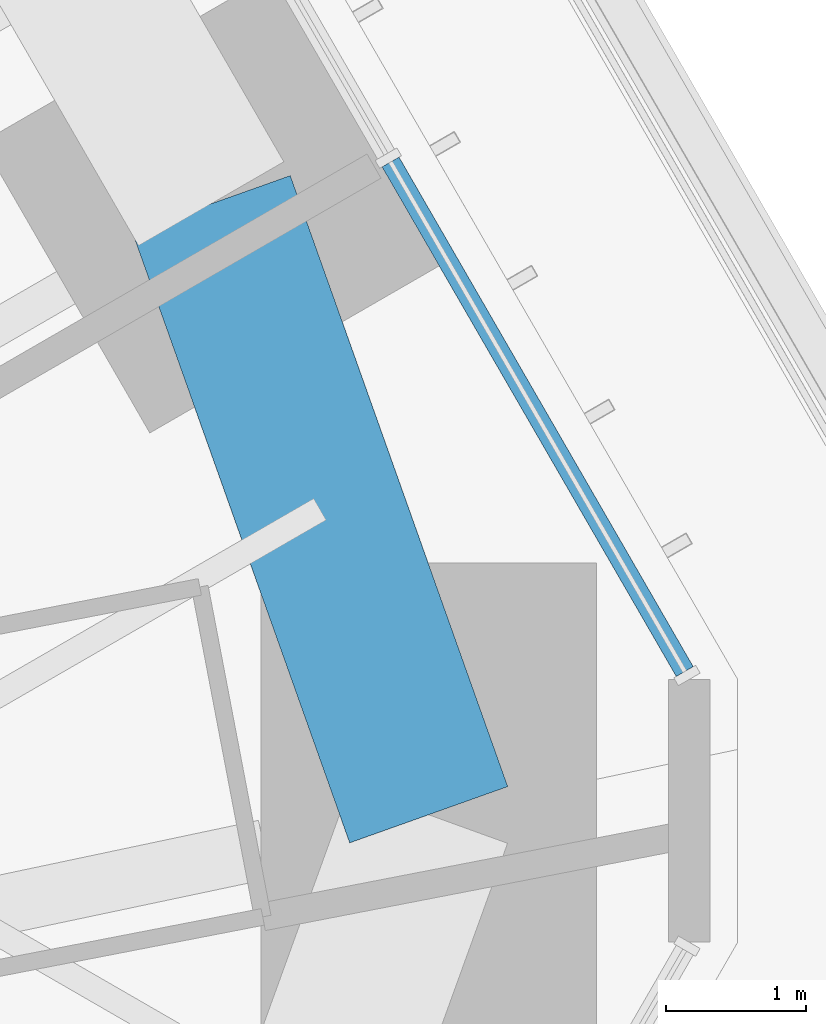
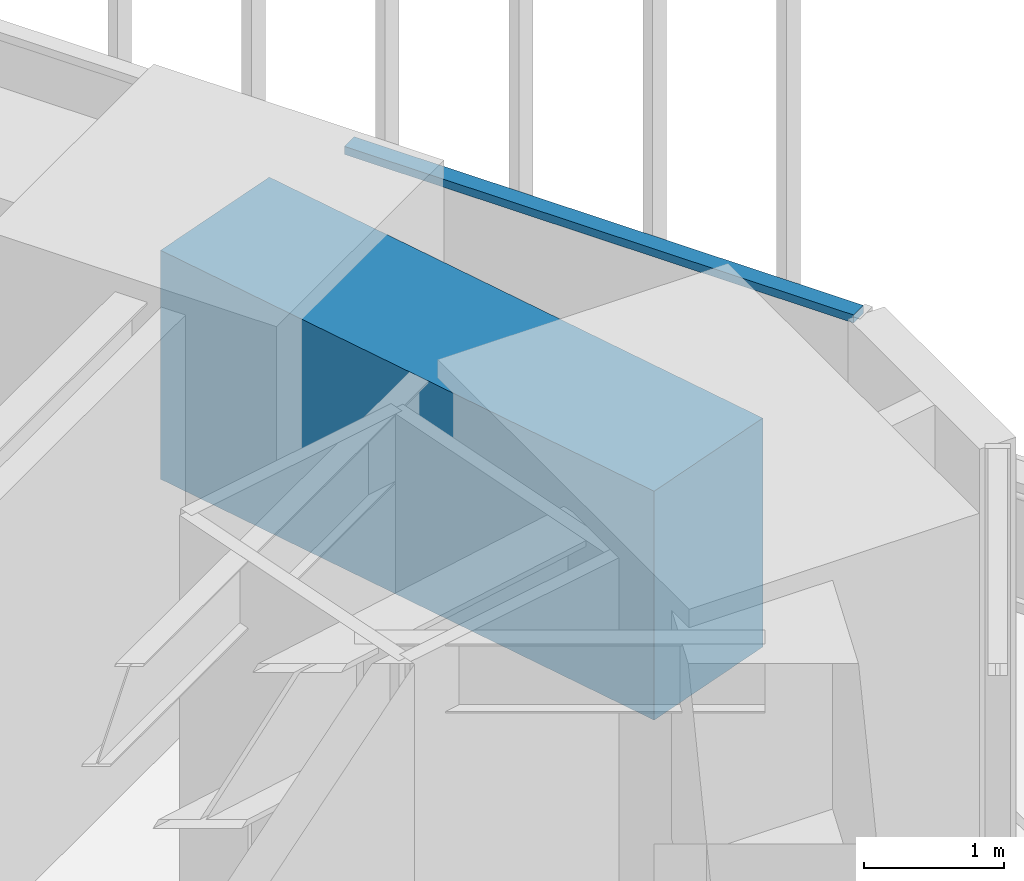
# One storey, part 182 of 238: 1 beam, 1 member, 1 element without a shape of its own.
"""IFC4 building model written with IfcOpenShell, lengths in metres."""

from ifc_helpers import new_model, si_unit, direction, frame, origin, origin_2d, place, context, subcontext, project, spatial, rectangle, extrude, material, material_profile, profile_set, type_object, element, aggregate, save


model = new_model("IFC4")

# Units and contexts
model_context = context("Model", 3, precision=1e-05, world=origin(), true_north=direction((0.0, 1.0)))
body_context = subcontext(model_context, "Body", "Model", "MODEL_VIEW")
ifc_project = project(units=[si_unit("LENGTHUNIT", "METRE"), si_unit("AREAUNIT", "SQUARE_METRE"), si_unit("VOLUMEUNIT", "CUBIC_METRE"), si_unit("PLANEANGLEUNIT", "RADIAN"), si_unit("MASSUNIT", "GRAM", prefix="KILO")], contexts=[model_context])

# Site, building, storey
site_placement = place(None, origin())
site = spatial("IfcSite", under=ifc_project, at=site_placement, CompositionType="ELEMENT")
building_placement = place(site_placement, origin())
building = spatial("IfcBuilding", under=site, at=building_placement, Name="Sandreach Pilgrim Tower", CompositionType="ELEMENT")
storey_placement = place(building_placement, frame((0.0, 0.0, 96.800048828125)))
storey = spatial("IfcBuildingStorey", under=building, at=storey_placement, Name="L23", CompositionType="ELEMENT", Elevation=96.800048828125)

# Curtain wall, member
ifc_material_1 = material(Name="Aluminium framed curtain wall", Category="aluminium")
curtain_wall_type = type_object("IfcCurtainWallType", Name="Hotel tower curtain wall", PredefinedType="NOTDEFINED", material=ifc_material_1)
curtain_wall_placement = place(storey_placement, origin())
curtain_wall = element("IfcCurtainWall", 1, at=curtain_wall_placement, inside=storey, type_object=curtain_wall_type, Name="CW-2 L23 NE", PredefinedType="NOTDEFINED")
ifc_material_2 = material(Name="Aluminium extrusion", Category="aluminium")
ifc_material_profile_1 = material_profile(ifc_material_2, rectangle(XDim=0.139892578125, YDim=0.070068359375, at=origin_2d()), Name="CW-2T 140X70")
ifc_profile_set_1 = profile_set([ifc_material_profile_1], Name="Aluminium extrusion")
member_type = type_object("IfcMemberType", Name="CW-2 transom", PredefinedType="USERDEFINED", material=ifc_profile_set_1)
member_placement = place(storey_placement, frame((26.584228515625, 10.339111328125, 3.60498046875), z_axis=(0.500038835258, -0.866002981077, 0.0), x_axis=(0.866002981077, 0.500038835258, 0.0)))
member = element("IfcMember", 2, at=member_placement, type_object=member_type, Name="CW-2 head transom 4", ObjectType="TRANSOM", PredefinedType="USERDEFINED", context=body_context, shape_type="SweptSolid", body=[
    extrude(rectangle(XDim=0.139892578125, YDim=0.070068359375, at=origin_2d()), origin(), (0.0, 0.0, 1.0), 4.208251953125),
])
aggregate(curtain_wall, [member])

# Beam
ifc_material_3 = material(Name="Concrete 10000 psi", Category="concrete")
ifc_material_profile_2 = material_profile(ifc_material_3, rectangle(XDim=1.199951171875, YDim=2.0, at=origin_2d()), Name="RC1200X2000")
ifc_profile_set_2 = profile_set([ifc_material_profile_2], Name="Concrete 10000 psi")
beam_type = type_object("IfcBeamType", Name="Spandrel beam RC1200X2000", PredefinedType="SPANDREL", material=ifc_profile_set_2)
beam_placement = place(storey_placement, frame((25.301513671875, 10.040771484375, 2.639892578125), z_axis=(0.335346041399, -0.942095023083, 0.0), x_axis=(0.942095023083, 0.335346041399, 0.0)))
element("IfcBeam", 3, at=beam_placement, inside=storey, type_object=beam_type, Name="BM L23 SP12", PredefinedType="SPANDREL", context=body_context, shape_type="SweptSolid", body=[
    extrude(rectangle(XDim=1.199951171875, YDim=2.0, at=origin_2d()), origin(), (0.0, 0.0, 1.0), 4.638916015625),
])

save(model, "model.ifc")
